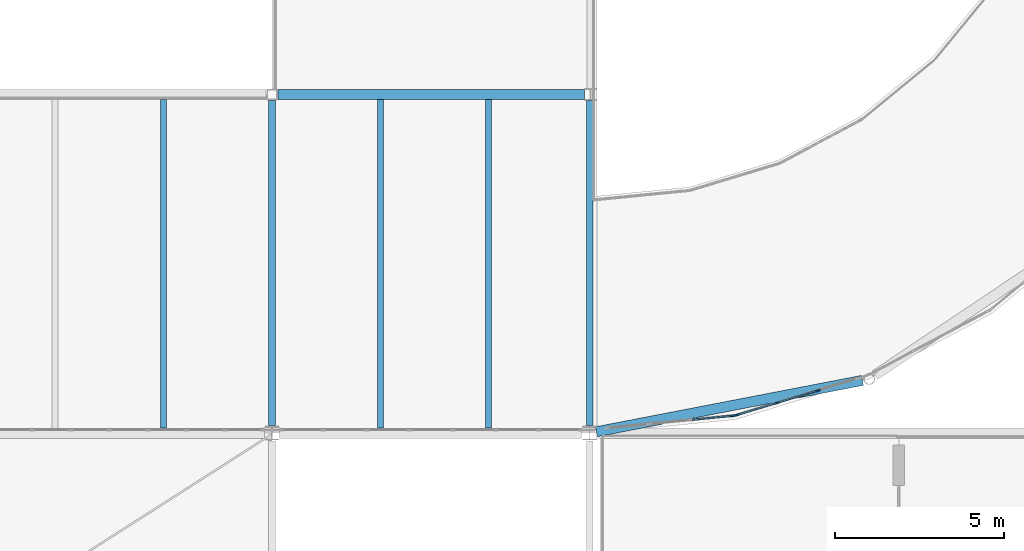
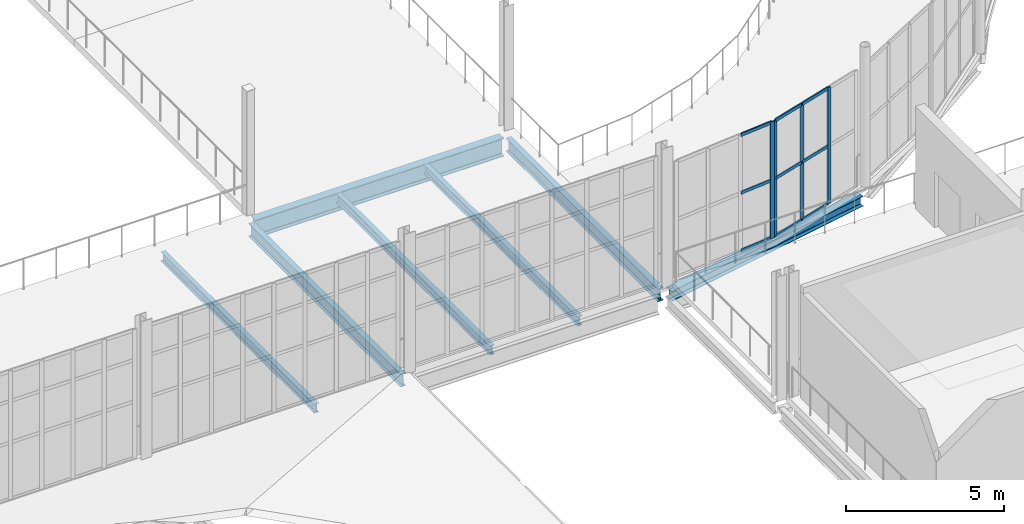
# One storey, part 61 of 112: 13 members, 7 beams, 2 elements without a shape of their own.
"""IFC4 building model written with IfcOpenShell, lengths in metres."""

import ifcopenshell
import ifcopenshell.guid

model = None  # the IFC model being written
_history = None  # IfcOwnerHistory: only IFC2X3 demands one
_inside = {}  # id of a spatial element -> (the spatial element, [elements in it])
_under = {}  # id of a project, library or spatial element -> (it, [spatial elements below it])
_declared = {}  # id of a project -> (the project, [libraries it declares])
_typed = {}  # id of a type object -> (the type object, [elements of that type])
_made_of = {}  # id of a material, layer set ... -> (it, [elements and type objects made of it])


def new_model(schema):
    """Start an empty IFC model of exactly this schema.

    Asked for "IFC4X3", IfcOpenShell would pick the latest addendum, in which some entities
    have other attributes; the version numbers below select the first issue.
    IFC2X3 requires an IfcOwnerHistory on every rooted entity: one is made here for all.
    """
    global model, _history
    if schema == "IFC4X3":
        model = ifcopenshell.file(schema_version=(4, 3, 0, 0))
    else:
        model = ifcopenshell.file(schema=schema)
    _inside.clear()
    _under.clear()
    _declared.clear()
    _typed.clear()
    _made_of.clear()
    _history = None
    if model.schema == "IFC2X3":
        org = make("IfcOrganization", Name="unknown")
        user = make(
            "IfcPersonAndOrganization",
            ThePerson=make("IfcPerson", FamilyName="unknown"),
            TheOrganization=org,
        )
        app = make(
            "IfcApplication",
            ApplicationDeveloper=org,
            Version="unknown",
            ApplicationFullName="unknown",
            ApplicationIdentifier="unknown",
        )
        _history = make(
            "IfcOwnerHistory",
            OwningUser=user,
            OwningApplication=app,
            ChangeAction="ADDED",
            CreationDate=0,
        )
    return model


def make(cls, **values):
    """One entity of the class cls with the attributes given. An attribute that is None is left unset."""
    return model.create_entity(
        cls, **{name: value for name, value in values.items() if value is not None}
    )


def rooted(cls, **values):
    """An entity with a GlobalId (a new one), such as an element, a storey or a relation."""
    return make(cls, GlobalId=ifcopenshell.guid.new(), OwnerHistory=_history, **values)


def si_unit(unit_type, name, prefix=None):
    """IfcSIUnit, for example si_unit("LENGTHUNIT", "METRE", prefix="MILLI")."""
    return make("IfcSIUnit", UnitType=unit_type, Prefix=prefix, Name=name)


def assignment(units):
    """IfcUnitAssignment: the units of a project."""
    return None if units is None else make("IfcUnitAssignment", Units=units)


def point(xyz):
    """IfcCartesianPoint."""
    return None if xyz is None else make("IfcCartesianPoint", Coordinates=xyz)


def direction(xyz):
    """IfcDirection."""
    return None if xyz is None else make("IfcDirection", DirectionRatios=xyz)


def frame(location, z_axis=None, x_axis=None):
    """IfcAxis2Placement3D, a coordinate frame: its origin and axes. An axis left out is left unset."""
    return make(
        "IfcAxis2Placement3D",
        Location=point(location),
        Axis=direction(z_axis),
        RefDirection=direction(x_axis),
    )


def frame_2d(location, x_axis=None):
    """IfcAxis2Placement2D, a coordinate frame in the plane: its origin and x axis."""
    return make(
        "IfcAxis2Placement2D", Location=point(location), RefDirection=direction(x_axis)
    )


def origin():
    """The frame at (0, 0, 0) with its axes left unset."""
    return frame((0.0, 0.0, 0.0))


def origin_2d():
    """The frame at (0, 0) in the plane with its x axis left unset."""
    return frame_2d((0.0, 0.0))


def place(relative_to, where):
    """IfcLocalPlacement: puts the frame where relative to a parent placement (None: the world)."""
    return make(
        "IfcLocalPlacement", PlacementRelTo=relative_to, RelativePlacement=where
    )


def context(
    kind, dimensions, precision=None, world=None, true_north=None, identifier=None
):
    """IfcGeometricRepresentationContext, for example the 3D "Model" context."""
    return make(
        "IfcGeometricRepresentationContext",
        ContextIdentifier=identifier,
        ContextType=kind,
        CoordinateSpaceDimension=dimensions,
        Precision=precision,
        WorldCoordinateSystem=world,
        TrueNorth=true_north,
    )


def subcontext(parent, identifier, kind, view, scale=None):
    """IfcGeometricRepresentationSubContext, for example "Body" below "Model"."""
    return make(
        "IfcGeometricRepresentationSubContext",
        ContextIdentifier=identifier,
        ContextType=kind,
        ParentContext=parent,
        TargetScale=scale,
        TargetView=view,
    )


def project(units=None, contexts=None):
    """IfcProject with its units and contexts."""
    return rooted(
        "IfcProject",
        Name="project",
        RepresentationContexts=contexts,
        UnitsInContext=assignment(units),
    )


def spatial(cls, under=None, at=None, **own):
    """A site, building, storey or space (cls), placed at a placement, below another one or the project."""
    s = rooted(cls, ObjectPlacement=at, **own)
    if under is not None:
        _under.setdefault(under.id(), (under, []))[1].append(s)
    return s


def profile(cls, at=None, kind="AREA", **sizes):
    """A parametric profile (cls). Its sizes go by their IFC names, for example OverallWidth=200.0."""
    return make(cls, ProfileType=kind, Position=at, **sizes)


def rectangle(**sizes):
    """IfcRectangleProfileDef."""
    return profile("IfcRectangleProfileDef", **sizes)


def i_section(**sizes):
    """IfcIShapeProfileDef."""
    return profile("IfcIShapeProfileDef", **sizes)


def extrude(swept, where, along, depth):
    """IfcExtrudedAreaSolid: the profile swept, set in the frame where, extruded along a direction by depth."""
    return make(
        "IfcExtrudedAreaSolid",
        SweptArea=swept,
        Position=where,
        ExtrudedDirection=direction(along),
        Depth=depth,
    )


def shape(context_of_items, identifier, shape_type, items):
    """IfcShapeRepresentation: the items that make up one representation, for example the "Body"."""
    return make(
        "IfcShapeRepresentation",
        ContextOfItems=context_of_items,
        RepresentationIdentifier=identifier,
        RepresentationType=shape_type,
        Items=items,
    )


def material(Name=None, Category=None):
    """IfcMaterial."""
    return make("IfcMaterial", Name=Name, Category=Category)


def layer(
    of_material, thickness, ventilated=None, Name=None, Category=None, Priority=None
):
    """IfcMaterialLayer: one layer of a wall or slab, of a material (None: an air gap)."""
    return make(
        "IfcMaterialLayer",
        Material=of_material,
        LayerThickness=thickness,
        IsVentilated=ventilated,
        Name=Name,
        Category=Category,
        Priority=Priority,
    )


def layer_set(layers, Name=None):
    """IfcMaterialLayerSet."""
    return make("IfcMaterialLayerSet", MaterialLayers=layers, LayerSetName=Name)


def material_profile(
    of_material, cross_section, Name=None, Category=None, Priority=None
):
    """IfcMaterialProfile: a cross section and its material."""
    return make(
        "IfcMaterialProfile",
        Name=Name,
        Material=of_material,
        Profile=cross_section,
        Priority=Priority,
        Category=Category,
    )


def profile_set(profiles, Name=None, composite=None):
    """IfcMaterialProfileSet."""
    return make(
        "IfcMaterialProfileSet",
        Name=Name,
        MaterialProfiles=profiles,
        CompositeProfile=composite,
    )


def made_of(thing, what):
    """Note that an element or type object is made of a material, layer set ...; save() writes the relation."""
    if what is not None:
        _made_of.setdefault(what.id(), (what, []))[1].append(thing)
    return thing


def type_object(cls, material=None, **own):
    """A type object (cls), such as IfcWallType, which elements share."""
    return made_of(rooted(cls, **own), material)


def element(
    cls,
    number,
    at=None,
    inside=None,
    cuts=None,
    type_object=None,
    material=None,
    context=None,
    identifier="Body",
    shape_type=None,
    held_by="IfcProductDefinitionShape",
    body=None,
    shapes=None,
    **own,
):
    """One element of the class cls, such as IfcWall. Its Tag is "e" and its number.

    at: its placement. inside: the storey or other place that contains it. cuts: it is an
    opening in that element (IfcRelVoidsElement). A single representation is given by context,
    identifier, shape_type and body (its items); several are given by shapes. held_by: the class
    of the entity that holds the representations. save() writes the other relations.
    """
    e = rooted(cls, Tag="e%d" % number, ObjectPlacement=at, **own)
    if body is not None:
        shapes = [shape(context, identifier, shape_type, body)]
    if shapes is not None:
        e.Representation = make(held_by, Representations=shapes)
    if inside is not None:
        _inside.setdefault(inside.id(), (inside, []))[1].append(e)
    if cuts is not None:
        rooted(
            "IfcRelVoidsElement", RelatingBuildingElement=cuts, RelatedOpeningElement=e
        )
    if type_object is not None:
        _typed.setdefault(type_object.id(), (type_object, []))[1].append(e)
    return made_of(e, material)


def aggregate(whole, parts):
    """IfcRelAggregates: a whole, such as a stair, and the parts it consists of."""
    return rooted("IfcRelAggregates", RelatingObject=whole, RelatedObjects=parts)


def save(model, path):
    """Write the relations noted so far, then the file.

    IfcRelAggregates (storeys below a building ...), IfcRelContainedInSpatialStructure (elements
    in a storey), IfcRelDefinesByType, IfcRelAssociatesMaterial and IfcRelDeclares: one each for
    every whole, place, type object, material and project.
    """
    for whole, parts in _under.values():
        aggregate(whole, parts)
    for where, things in _inside.values():
        rooted(
            "IfcRelContainedInSpatialStructure",
            RelatedElements=things,
            RelatingStructure=where,
        )
    for kind, things in _typed.values():
        rooted("IfcRelDefinesByType", RelatedObjects=things, RelatingType=kind)
    for what, things in _made_of.values():
        rooted("IfcRelAssociatesMaterial", RelatedObjects=things, RelatingMaterial=what)
    for by, libraries in _declared.values():
        rooted("IfcRelDeclares", RelatingContext=by, RelatedDefinitions=libraries)
    model.write(path)


model = new_model("IFC4")

# Units and contexts
model_context = context("Model", 3, precision=1e-05, world=origin(), true_north=direction((0.0, 1.0)))
body_context = subcontext(model_context, "Body", "Model", "MODEL_VIEW")
ifc_project = project(units=[si_unit("LENGTHUNIT", "METRE"), si_unit("AREAUNIT", "SQUARE_METRE"), si_unit("VOLUMEUNIT", "CUBIC_METRE"), si_unit("PLANEANGLEUNIT", "RADIAN"), si_unit("MASSUNIT", "GRAM", prefix="KILO")], contexts=[model_context])

# Site, building, storey
site_placement = place(None, origin())
site = spatial("IfcSite", under=ifc_project, at=site_placement, CompositionType="ELEMENT")
building_placement = place(site_placement, origin())
building = spatial("IfcBuilding", under=site, at=building_placement, Name="Yeouljin Market Hall", CompositionType="ELEMENT")
storey_placement = place(building_placement, frame((0.0, 0.0, 6.0)))
storey = spatial("IfcBuildingStorey", under=building, at=storey_placement, Name="L01", CompositionType="ELEMENT", Elevation=6.0)

# Beams
ifc_material_1 = material(Name="Steel SM355", Category="steel")
ifc_material_profile_1 = material_profile(ifc_material_1, i_section(OverallWidth=0.300048828125, OverallDepth=0.389892578125, WebThickness=0.010009765625, FlangeThickness=0.01611328125, FilletRadius=0.01806640625, at=origin_2d()), Name="H-390x300x10x16")
ifc_profile_set_1 = profile_set([ifc_material_profile_1], Name="Steel SM355")
beam_type_1 = type_object("IfcBeamType", Name="Beam_H-390x300x10x16", PredefinedType="BEAM", material=ifc_profile_set_1)
beam_1_placement = place(storey_placement, frame((140.98095703125, 36.042724609375, -0.465087890625), z_axis=(0.981853779067, 0.189639543691, 0.0), x_axis=(-0.189639543691, 0.981853779067, 0.0)))
element("IfcBeam", 1, at=beam_1_placement, inside=storey, type_object=beam_type_1, Name="Apse ring beam L01 250", PredefinedType="BEAM", context=body_context, shape_type="SweptSolid", body=[
    extrude(i_section(OverallWidth=0.300048828125, OverallDepth=0.389892578125, WebThickness=0.010009765625, FlangeThickness=0.01611328125, FilletRadius=0.01806640625, at=origin_2d()), origin(), (0.0, 0.0, 1.0), 8.001220703125),
])
ifc_material_2 = material(Name="Steel SM355", Category="steel")
ifc_material_profile_2 = material_profile(ifc_material_2, i_section(OverallWidth=0.199951171875, OverallDepth=0.5, WebThickness=0.010009765625, FlangeThickness=0.01611328125, FilletRadius=0.02001953125, at=origin_2d()), Name="H-500x200x10x16")
ifc_profile_set_2 = profile_set([ifc_material_profile_2], Name="Steel SM355")
beam_type_2 = type_object("IfcBeamType", Name="Beam_H-500x200x10x16", PredefinedType="BEAM", material=ifc_profile_set_2)
for number, where, z_axis, x_axis, name in (
    (2, (131.39990234375, 36.22509765625, -0.52001953125), (0.0, 1.0, 0.0), (-1.0, 0.0, 0.0), "Primary beam BM-L01-Y201"),
    (3, (140.784912109375, 36.22509765625, -0.52001953125), (0.0, 1.0, 0.0), (-1.0, 0.0, 0.0), "Primary beam BM-L01-Y211"),
):
    element("IfcBeam", number, at=place(storey_placement, frame(where, z_axis=z_axis, x_axis=x_axis)), inside=storey, type_object=beam_type_2, Name=name, PredefinedType="BEAM", context=body_context, shape_type="SweptSolid", body=[
        extrude(i_section(OverallWidth=0.199951171875, OverallDepth=0.5, WebThickness=0.010009765625, FlangeThickness=0.01611328125, FilletRadius=0.02001953125, at=origin_2d()), origin(), (0.0, 0.0, 1.0), 9.599853515625),
    ])

# Curtain wall, member
ifc_material_3 = material(Name="Thermally Broken Aluminium", Category="aluminium")
ifc_layer = layer(ifc_material_3, 0.179931640625)
ifc_layer_set = layer_set([ifc_layer], Name="Thermally Broken Aluminium")
curtain_wall_type = type_object("IfcCurtainWallType", Name="CW_ApseCurved_System", PredefinedType="USERDEFINED", material=ifc_layer_set)
curtain_wall_1_placement = place(storey_placement, origin())
curtain_wall_1 = element("IfcCurtainWall", 4, at=curtain_wall_1_placement, inside=storey, type_object=curtain_wall_type, Name="Curtain wall CW-AP-EL01-01", ObjectType="CURTAIN WALL", PredefinedType="USERDEFINED")
ifc_material_4 = material(Name="Thermally Broken Aluminium", Category="aluminium")
ifc_material_profile_3 = material_profile(ifc_material_4, rectangle(XDim=0.048095703125, YDim=0.14990234375, at=origin_2d()), Name="CW-MULL-48x150")
ifc_profile_set_3 = profile_set([ifc_material_profile_3], Name="Thermally Broken Aluminium")
member_type_1 = type_object("IfcMemberType", Name="CWMullion_48x150", PredefinedType="MULLION", material=ifc_profile_set_3)
member_1_placement = place(storey_placement, frame((145.009765625, 36.514892578125, 0.0), z_axis=(0.0, 0.0, 1.0), x_axis=(0.09803414403, -0.995183051807, 0.0)))
member_1 = element("IfcMember", 5, at=member_1_placement, type_object=member_type_1, Name="CW-03 mullion 1", PredefinedType="MULLION", context=body_context, shape_type="SweptSolid", body=[
    extrude(rectangle(XDim=0.048095703125, YDim=0.14990234375, at=origin_2d()), origin(), (0.0, 0.0, 1.0), 4.5),
])

# Curtain wall, members
curtain_wall_2_placement = place(storey_placement, origin())
curtain_wall_2 = element("IfcCurtainWall", 6, at=curtain_wall_2_placement, inside=storey, type_object=curtain_wall_type, Name="Curtain wall CW-AP-EL01-02", ObjectType="CURTAIN WALL", PredefinedType="USERDEFINED")
member_2_placement = place(storey_placement, frame((147.51904296875, 37.262939453125, 0.0), z_axis=(0.0, 0.0, 1.0), x_axis=(0.290286164863, -0.95693988447, 0.0)))
member_2 = element("IfcMember", 7, at=member_2_placement, type_object=member_type_1, Name="CW-03 mullion 2", PredefinedType="MULLION", context=body_context, shape_type="SweptSolid", body=[
    extrude(rectangle(XDim=0.048095703125, YDim=0.14990234375, at=origin_2d()), origin(), (0.0, 0.0, 1.0), 4.5),
])
member_3_placement = place(storey_placement, frame((146.3154296875, 36.89794921875, 0.0), z_axis=(0.0, 0.0, 1.0), x_axis=(0.290286164863, -0.95693988447, 0.0)))
member_3 = element("IfcMember", 8, at=member_3_placement, type_object=member_type_1, Name="CW-03 mullion 3", PredefinedType="MULLION", context=body_context, shape_type="SweptSolid", body=[
    extrude(rectangle(XDim=0.048095703125, YDim=0.14990234375, at=origin_2d()), origin(), (0.0, 0.0, 1.0), 4.5),
])
member_4_placement = place(storey_placement, frame((145.134765625, 36.539794921875, 0.0), z_axis=(0.0, 0.0, 1.0), x_axis=(0.290286164863, -0.95693988447, 0.0)))
member_4 = element("IfcMember", 9, at=member_4_placement, type_object=member_type_1, Name="CW-03 mullion 4", PredefinedType="MULLION", context=body_context, shape_type="SweptSolid", body=[
    extrude(rectangle(XDim=0.048095703125, YDim=0.14990234375, at=origin_2d()), origin(), (0.0, 0.0, 1.0), 4.5),
])

# Member
ifc_material_5 = material(Name="Thermally Broken Aluminium", Category="aluminium")
ifc_material_profile_4 = material_profile(ifc_material_5, rectangle(XDim=0.048095703125, YDim=0.1201171875, at=origin_2d()), Name="CW-TRAN-48x120")
ifc_profile_set_4 = profile_set([ifc_material_profile_4], Name="Thermally Broken Aluminium")
member_type_2 = type_object("IfcMemberType", Name="CWTransom_48x120", PredefinedType="USERDEFINED", material=ifc_profile_set_4)
member_5_placement = place(storey_placement, frame((144.98583984375, 36.5126953125, 0.02392578125), z_axis=(-0.995164800405, -0.098219244733, 0.0), x_axis=(0.098219244733, -0.995164800405, 0.0)))
member_5 = element("IfcMember", 10, at=member_5_placement, type_object=member_type_2, Name="CW-03 transom 1.1", ObjectType="TRANSOM", PredefinedType="USERDEFINED", context=body_context, shape_type="SweptSolid", body=[
    extrude(rectangle(XDim=0.048095703125, YDim=0.1201171875, at=origin_2d()), origin(), (0.0, 0.0, 1.0), 1.185546875),
])

member_6_placement = place(storey_placement, frame((144.98583984375, 36.5126953125, 2.25), z_axis=(-0.995164800405, -0.098219244733, 0.0), x_axis=(0.098219244733, -0.995164800405, 0.0)))
member_6 = element("IfcMember", 11, at=member_6_placement, type_object=member_type_2, Name="CW-03 transom 1.2", ObjectType="TRANSOM", PredefinedType="USERDEFINED", context=body_context, shape_type="SweptSolid", body=[
    extrude(rectangle(XDim=0.048095703125, YDim=0.1201171875, at=origin_2d()), origin(), (0.0, 0.0, 1.0), 1.185546875),
])

member_7_placement = place(storey_placement, frame((144.98583984375, 36.5126953125, 4.47607421875), z_axis=(-0.995164800405, -0.098219244733, 0.0), x_axis=(0.098219244733, -0.995164800405, 0.0)))
member_7 = element("IfcMember", 12, at=member_7_placement, type_object=member_type_2, Name="CW-03 transom 1.3", ObjectType="TRANSOM", PredefinedType="USERDEFINED", context=body_context, shape_type="SweptSolid", body=[
    extrude(rectangle(XDim=0.048095703125, YDim=0.1201171875, at=origin_2d()), origin(), (0.0, 0.0, 1.0), 1.185546875),
])

aggregate(curtain_wall_1, [member_1, member_5, member_6, member_7])

member_8_placement = place(storey_placement, frame((147.495849609375, 37.256103515625, 0.02392578125), z_axis=(-0.956893599111, -0.29043870262, 0.0), x_axis=(0.29043870262, -0.956893599111, 0.0)))
member_8 = element("IfcMember", 13, at=member_8_placement, type_object=member_type_2, Name="CW-03 transom 2.1", ObjectType="TRANSOM", PredefinedType="USERDEFINED", context=body_context, shape_type="SweptSolid", body=[
    extrude(rectangle(XDim=0.048095703125, YDim=0.1201171875, at=origin_2d()), origin(), (0.0, 0.0, 1.0), 1.209716796875),
])

member_9_placement = place(storey_placement, frame((147.495849609375, 37.256103515625, 2.25), z_axis=(-0.956893599111, -0.29043870262, 0.0), x_axis=(0.29043870262, -0.956893599111, 0.0)))
member_9 = element("IfcMember", 14, at=member_9_placement, type_object=member_type_2, Name="CW-03 transom 2.2", ObjectType="TRANSOM", PredefinedType="USERDEFINED", context=body_context, shape_type="SweptSolid", body=[
    extrude(rectangle(XDim=0.048095703125, YDim=0.1201171875, at=origin_2d()), origin(), (0.0, 0.0, 1.0), 1.209716796875),
])

member_10_placement = place(storey_placement, frame((147.495849609375, 37.256103515625, 4.47607421875), z_axis=(-0.956893599111, -0.29043870262, 0.0), x_axis=(0.29043870262, -0.956893599111, 0.0)))
member_10 = element("IfcMember", 15, at=member_10_placement, type_object=member_type_2, Name="CW-03 transom 2.3", ObjectType="TRANSOM", PredefinedType="USERDEFINED", context=body_context, shape_type="SweptSolid", body=[
    extrude(rectangle(XDim=0.048095703125, YDim=0.1201171875, at=origin_2d()), origin(), (0.0, 0.0, 1.0), 1.209716796875),
])

member_11_placement = place(storey_placement, frame((146.29248046875, 36.890869140625, 0.02392578125), z_axis=(-0.956937784149, -0.290293088565, 0.0), x_axis=(0.290293088565, -0.956937784149, 0.0)))
member_11 = element("IfcMember", 16, at=member_11_placement, type_object=member_type_2, Name="CW-03 transom 3.1", ObjectType="TRANSOM", PredefinedType="USERDEFINED", context=body_context, shape_type="SweptSolid", body=[
    extrude(rectangle(XDim=0.048095703125, YDim=0.1201171875, at=origin_2d()), origin(), (0.0, 0.0, 1.0), 1.185791015625),
])

member_12_placement = place(storey_placement, frame((146.29248046875, 36.890869140625, 2.25), z_axis=(-0.956937784149, -0.290293088565, 0.0), x_axis=(0.290293088565, -0.956937784149, 0.0)))
member_12 = element("IfcMember", 17, at=member_12_placement, type_object=member_type_2, Name="CW-03 transom 3.2", ObjectType="TRANSOM", PredefinedType="USERDEFINED", context=body_context, shape_type="SweptSolid", body=[
    extrude(rectangle(XDim=0.048095703125, YDim=0.1201171875, at=origin_2d()), origin(), (0.0, 0.0, 1.0), 1.185791015625),
])

member_13_placement = place(storey_placement, frame((146.29248046875, 36.890869140625, 4.47607421875), z_axis=(-0.956937784149, -0.290293088565, 0.0), x_axis=(0.290293088565, -0.956937784149, 0.0)))
member_13 = element("IfcMember", 18, at=member_13_placement, type_object=member_type_2, Name="CW-03 transom 3.3", ObjectType="TRANSOM", PredefinedType="USERDEFINED", context=body_context, shape_type="SweptSolid", body=[
    extrude(rectangle(XDim=0.048095703125, YDim=0.1201171875, at=origin_2d()), origin(), (0.0, 0.0, 1.0), 1.185791015625),
])

aggregate(curtain_wall_2, [member_2, member_3, member_4, member_8, member_9, member_10, member_11, member_12, member_13])

# Beams
ifc_material_6 = material(Name="Steel SM355", Category="steel")
ifc_material_profile_5 = material_profile(ifc_material_6, i_section(OverallWidth=0.300048828125, OverallDepth=0.699951171875, WebThickness=0.012939453125, FlangeThickness=0.02392578125, FilletRadius=0.02587890625, at=origin_2d()), Name="H-700x300x13x24")
ifc_profile_set_5 = profile_set([ifc_material_profile_5], Name="Steel SM355")
beam_type_3 = type_object("IfcBeamType", Name="Girder_H-700x300x13x24", PredefinedType="USERDEFINED", material=ifc_profile_set_5)
beam_2_placement = place(storey_placement, frame((131.574951171875, 46.0, -0.6201171875), z_axis=(1.0, 0.0, 0.0), x_axis=(0.0, 1.0, 0.0)))
element("IfcBeam", 19, at=beam_2_placement, inside=storey, type_object=beam_type_3, Name="Primary girder GRD-L01-X068", ObjectType="GIRDER", PredefinedType="USERDEFINED", context=body_context, shape_type="SweptSolid", body=[
    extrude(i_section(OverallWidth=0.300048828125, OverallDepth=0.699951171875, WebThickness=0.012939453125, FlangeThickness=0.02392578125, FilletRadius=0.02587890625, at=origin_2d()), origin(), (0.0, 0.0, 1.0), 9.06005859375),
])
ifc_material_7 = material(Name="Steel SM355", Category="steel")
ifc_material_profile_6 = material_profile(ifc_material_7, i_section(OverallWidth=0.175048828125, OverallDepth=0.35009765625, WebThickness=0.007080078125, FlangeThickness=0.010986328125, FilletRadius=0.013916015625, at=origin_2d()), Name="H-350x175x7x11")
ifc_profile_set_6 = profile_set([ifc_material_profile_6], Name="Steel SM355")
beam_type_4 = type_object("IfcBeamType", Name="Joist_H-350x175x7x11", PredefinedType="JOIST", material=ifc_profile_set_6)
for number, where, z_axis, x_axis, name in (
    (20, (128.199951171875, 36.14697265625, -0.445068359375), (0.0, 1.0, 0.0), (-1.0, 0.0, 0.0), "Secondary floor joist L01-083"),
    (21, (134.60009765625, 36.14697265625, -0.445068359375), (0.0, 1.0, 0.0), (-1.0, 0.0, 0.0), "Secondary floor joist L01-096"),
    (22, (137.800048828125, 36.14697265625, -0.445068359375), (0.0, 1.0, 0.0), (-1.0, 0.0, 0.0), "Secondary floor joist L01-097"),
):
    element("IfcBeam", number, at=place(storey_placement, frame(where, z_axis=z_axis, x_axis=x_axis)), inside=storey, type_object=beam_type_4, Name=name, PredefinedType="JOIST", context=body_context, shape_type="SweptSolid", body=[
        extrude(i_section(OverallWidth=0.175048828125, OverallDepth=0.35009765625, WebThickness=0.007080078125, FlangeThickness=0.010986328125, FilletRadius=0.013916015625, at=origin_2d()), origin(), (0.0, 0.0, 1.0), 9.7060546875),
    ])

save(model, "model.ifc")
